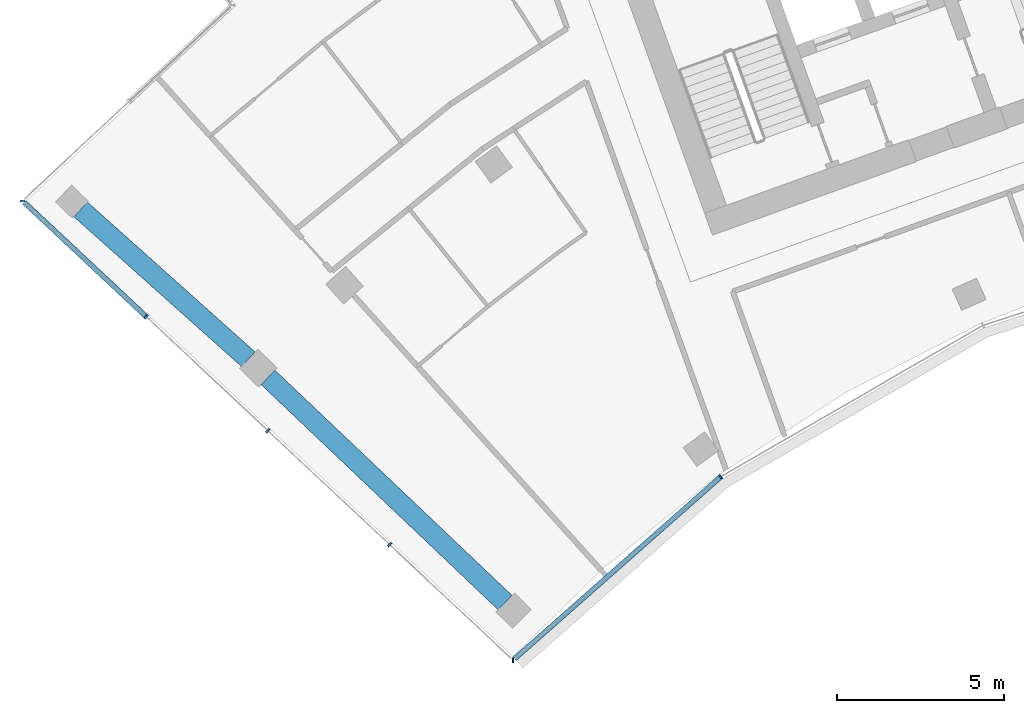
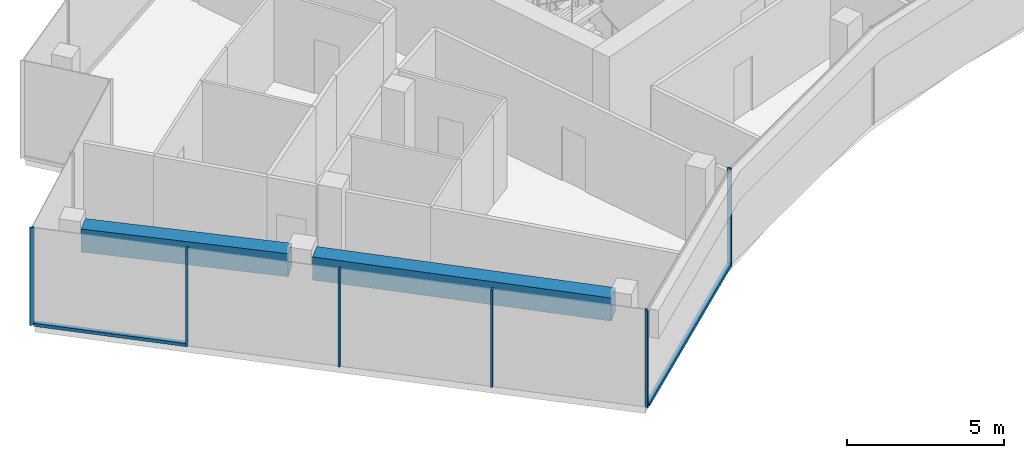
# One storey, part 2 of 18: 8 members, 2 beams, 2 elements without a shape of their own.
"""IFC4 building model written with IfcOpenShell, lengths in metres."""

from ifc_helpers import new_model, si_unit, direction, frame, origin, origin_2d, place, context, subcontext, project, spatial, rectangle, extrude, material, layer, layer_set, material_profile, profile_set, type_object, element, aggregate, save


model = new_model("IFC4")

# Units and contexts
model_context = context("Model", 3, precision=1e-05, world=origin(), true_north=direction((0.0, 1.0)))
body_context = subcontext(model_context, "Body", "Model", "MODEL_VIEW")
ifc_project = project(units=[si_unit("LENGTHUNIT", "METRE"), si_unit("AREAUNIT", "SQUARE_METRE"), si_unit("VOLUMEUNIT", "CUBIC_METRE"), si_unit("PLANEANGLEUNIT", "RADIAN"), si_unit("MASSUNIT", "GRAM", prefix="KILO")], contexts=[model_context])

# Site, building, storey
site_placement = place(None, origin())
site = spatial("IfcSite", under=ifc_project, at=site_placement, CompositionType="ELEMENT")
building_placement = place(site_placement, origin())
building = spatial("IfcBuilding", under=site, at=building_placement, Name="Stone Belt Terrace Tower", CompositionType="ELEMENT")
storey_placement = place(building_placement, frame((0.0, 0.0, 273.199951171875)))
storey = spatial("IfcBuildingStorey", under=building, at=storey_placement, Name="L66", CompositionType="ELEMENT", Elevation=273.199951171875)

# Curtain wall, members
ifc_material_1 = material(Name="Aluminium 6063-T6 anodised frame", Category="aluminium")
ifc_layer_1 = layer(ifc_material_1, 0.14990234375)
ifc_layer_set_1 = layer_set([ifc_layer_1], Name="CW-B unitised concave-face curtain wall")
curtain_wall_type_1 = type_object("IfcCurtainWallType", Name="CW-B unitised concave-face curtain wall", PredefinedType="NOTDEFINED", material=ifc_layer_set_1)
curtain_wall_1_placement = place(storey_placement, origin())
curtain_wall_1 = element("IfcCurtainWall", 1, at=curtain_wall_1_placement, inside=storey, type_object=curtain_wall_type_1, Name="CW-B concave face L66", PredefinedType="NOTDEFINED")
ifc_material_profile_1 = material_profile(ifc_material_1, rectangle(XDim=0.14990234375, YDim=0.050048828125, at=origin_2d()), Name="Aluminium 6063-T6 50x150")
ifc_profile_set_1 = profile_set([ifc_material_profile_1], Name="Aluminium 6063-T6 anodised frame")
member_type_1 = type_object("IfcMemberType", Name="CW-B mullion 50 x 150", PredefinedType="MULLION", material=ifc_profile_set_1)
member_1_placement = place(storey_placement, frame((-31.75244140625, 29.633056640625, 0.0), z_axis=(0.0, 0.0, 1.0), x_axis=(0.014681639593, 0.999892218921, 0.0)))
member_1 = element("IfcMember", 2, at=member_1_placement, type_object=member_type_1, Name="CW-B mullion 1", PredefinedType="MULLION", context=body_context, shape_type="SweptSolid", body=[
    extrude(rectangle(XDim=0.14990234375, YDim=0.050048828125, at=origin_2d()), origin(), (0.0, 0.0, 1.0), 3.800048828125),
])
member_2_placement = place(storey_placement, frame((-25.524658203125, 35.131103515625, 0.0), z_axis=(0.0, 0.0, 1.0), x_axis=(-0.583818854632, 0.811883947973, 0.0)))
member_2 = element("IfcMember", 3, at=member_2_placement, type_object=member_type_1, Name="CW-B mullion 2", PredefinedType="MULLION", context=body_context, shape_type="SweptSolid", body=[
    extrude(rectangle(XDim=0.14990234375, YDim=0.050048828125, at=origin_2d()), origin(), (0.0, 0.0, 1.0), 3.800048828125),
])
ifc_material_profile_2 = material_profile(ifc_material_1, rectangle(XDim=0.14990234375, YDim=0.1201171875, at=origin_2d()), Name="Aluminium 6063-T6 150x120")
ifc_profile_set_2 = profile_set([ifc_material_profile_2], Name="Aluminium 6063-T6 anodised frame")
member_type_2 = type_object("IfcMemberType", Name="CW-B transom 120 x 150", PredefinedType="USERDEFINED", material=ifc_profile_set_2)
member_3_placement = place(storey_placement, frame((-31.70068359375, 29.6787109375, 0.06005859375), z_axis=(0.749668527307, 0.661813492735, 0.0), x_axis=(-0.661813492735, 0.749668527307, 0.0)))
member_3 = element("IfcMember", 4, at=member_3_placement, type_object=member_type_2, Name="CW-B transom 1.1", ObjectType="TRANSOM", PredefinedType="USERDEFINED", context=body_context, shape_type="SweptSolid", body=[
    extrude(rectangle(XDim=0.14990234375, YDim=0.1201171875, at=origin_2d()), origin(), (0.0, 0.0, 1.0), 8.2060546875),
])
aggregate(curtain_wall_1, [member_1, member_2, member_3])

ifc_layer_2 = layer(ifc_material_1, 0.14990234375)
ifc_layer_set_2 = layer_set([ifc_layer_2], Name="CW-C stick curtain wall, horn ends and notches")
curtain_wall_type_2 = type_object("IfcCurtainWallType", Name="CW-C stick curtain wall, horn ends and notches", PredefinedType="NOTDEFINED", material=ifc_layer_set_2)
curtain_wall_2_placement = place(storey_placement, origin())
curtain_wall_2 = element("IfcCurtainWall", 5, at=curtain_wall_2_placement, inside=storey, type_object=curtain_wall_type_2, Name="CW-C end face L66", PredefinedType="NOTDEFINED")
ifc_material_profile_3 = material_profile(ifc_material_1, rectangle(XDim=0.14990234375, YDim=0.06005859375, at=origin_2d()), Name="Aluminium 6063-T6 60x150")
ifc_profile_set_3 = profile_set([ifc_material_profile_3], Name="Aluminium 6063-T6 anodised frame")
member_type_3 = type_object("IfcMemberType", Name="CW-C mullion 60 x 150", PredefinedType="MULLION", material=ifc_profile_set_3)
member_4_placement = place(storey_placement, frame((-46.458740234375, 43.405517578125, 0.0), z_axis=(0.0, 0.0, 1.0), x_axis=(0.999999447771, -0.00105093149, 0.0)))
member_4 = element("IfcMember", 6, at=member_4_placement, type_object=member_type_3, Name="CW-C mullion 1", PredefinedType="MULLION", context=body_context, shape_type="SweptSolid", body=[
    extrude(rectangle(XDim=0.14990234375, YDim=0.06005859375, at=origin_2d()), origin(), (0.0, 0.0, 1.0), 3.800048828125),
])
member_5_placement = place(storey_placement, frame((-42.750732421875, 39.932861328125, 0.0), z_axis=(0.0, 0.0, 1.0), x_axis=(0.683549434973, 0.729904219708, 0.0)))
member_5 = element("IfcMember", 7, at=member_5_placement, type_object=member_type_3, Name="CW-C mullion 2", PredefinedType="MULLION", context=body_context, shape_type="SweptSolid", body=[
    extrude(rectangle(XDim=0.14990234375, YDim=0.06005859375, at=origin_2d()), origin(), (0.0, 0.0, 1.0), 3.800048828125),
])
member_6_placement = place(storey_placement, frame((-39.10107421875, 36.51513671875, 0.0), z_axis=(0.0, 0.0, 1.0), x_axis=(0.683549434973, 0.729904219708, 0.0)))
member_6 = element("IfcMember", 8, at=member_6_placement, type_object=member_type_3, Name="CW-C mullion 3", PredefinedType="MULLION", context=body_context, shape_type="SweptSolid", body=[
    extrude(rectangle(XDim=0.14990234375, YDim=0.06005859375, at=origin_2d()), origin(), (0.0, 0.0, 1.0), 3.800048828125),
])
member_7_placement = place(storey_placement, frame((-35.45166015625, 33.097412109375, 0.0), z_axis=(0.0, 0.0, 1.0), x_axis=(0.683549434973, 0.729904219708, 0.0)))
member_7 = element("IfcMember", 9, at=member_7_placement, type_object=member_type_3, Name="CW-C mullion 4", PredefinedType="MULLION", context=body_context, shape_type="SweptSolid", body=[
    extrude(rectangle(XDim=0.14990234375, YDim=0.06005859375, at=origin_2d()), origin(), (0.0, 0.0, 1.0), 3.800048828125),
])
ifc_material_profile_4 = material_profile(ifc_material_1, rectangle(XDim=0.14990234375, YDim=0.1201171875, at=origin_2d()), Name="Aluminium 6063-T6 150x120")
ifc_profile_set_4 = profile_set([ifc_material_profile_4], Name="Aluminium 6063-T6 anodised frame")
member_type_4 = type_object("IfcMemberType", Name="CW-C transom 120 x 150", PredefinedType="USERDEFINED", material=ifc_profile_set_4)
member_8_placement = place(storey_placement, frame((-46.40380859375, 43.35400390625, 0.06005859375), z_axis=(0.729913558916, -0.683539462292, 0.0), x_axis=(0.683539462292, 0.729913558916, 0.0)))
member_8 = element("IfcMember", 10, at=member_8_placement, type_object=member_type_4, Name="CW-C transom 1.1", ObjectType="TRANSOM", PredefinedType="USERDEFINED", context=body_context, shape_type="SweptSolid", body=[
    extrude(rectangle(XDim=0.14990234375, YDim=0.1201171875, at=origin_2d()), origin(), (0.0, 0.0, 1.0), 4.97509765625),
])
aggregate(curtain_wall_2, [member_4, member_5, member_6, member_7, member_8])

# Beams
ifc_material_2 = material(Name="Concrete B60", Category="concrete")
ifc_material_profile_5 = material_profile(ifc_material_2, rectangle(XDim=0.60009765625, YDim=0.89990234375, at=origin_2d()), Name="RC 600x900")
ifc_profile_set_5 = profile_set([ifc_material_profile_5], Name="Concrete B60")
beam_type = type_object("IfcBeamType", Name="Edge beam RC 600x900 B60", PredefinedType="SPANDREL", material=ifc_profile_set_5)
beam_1_placement = place(storey_placement, frame((-31.98876953125, 31.35791015625, 3.030029296875), z_axis=(-0.72502367576, 0.688723942946, 0.0), x_axis=(-0.688723942946, -0.72502367576, 0.0)))
element("IfcBeam", 11, at=beam_1_placement, inside=storey, type_object=beam_type, Name="Edge beam L66 A P to Q", PredefinedType="SPANDREL", context=body_context, shape_type="SweptSolid", body=[
    extrude(rectangle(XDim=0.60009765625, YDim=0.89990234375, at=origin_2d()), origin(), (0.0, 0.0, 1.0), 9.80615234375),
])
beam_2_placement = place(storey_placement, frame((-39.68701171875, 38.65380859375, 3.030029296875), z_axis=(-0.745651125692, 0.666336550666, 0.0), x_axis=(-0.666336550666, -0.745651125692, 0.0)))
element("IfcBeam", 12, at=beam_2_placement, inside=storey, type_object=beam_type, Name="Edge beam L66 A Q to R", PredefinedType="SPANDREL", context=body_context, shape_type="SweptSolid", body=[
    extrude(rectangle(XDim=0.60009765625, YDim=0.89990234375, at=origin_2d()), origin(), (0.0, 0.0, 1.0), 6.744140625),
])

save(model, "model.ifc")
